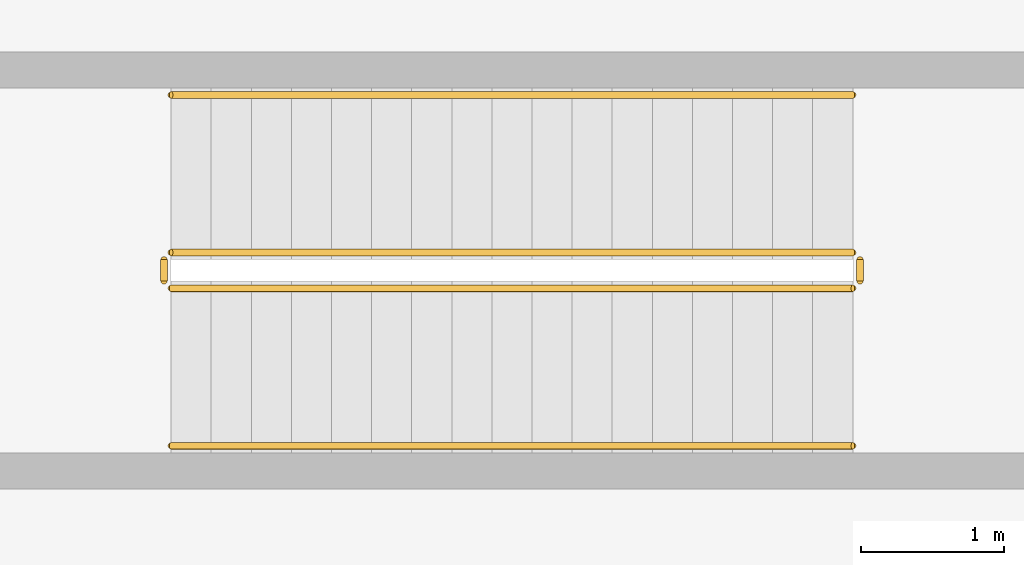
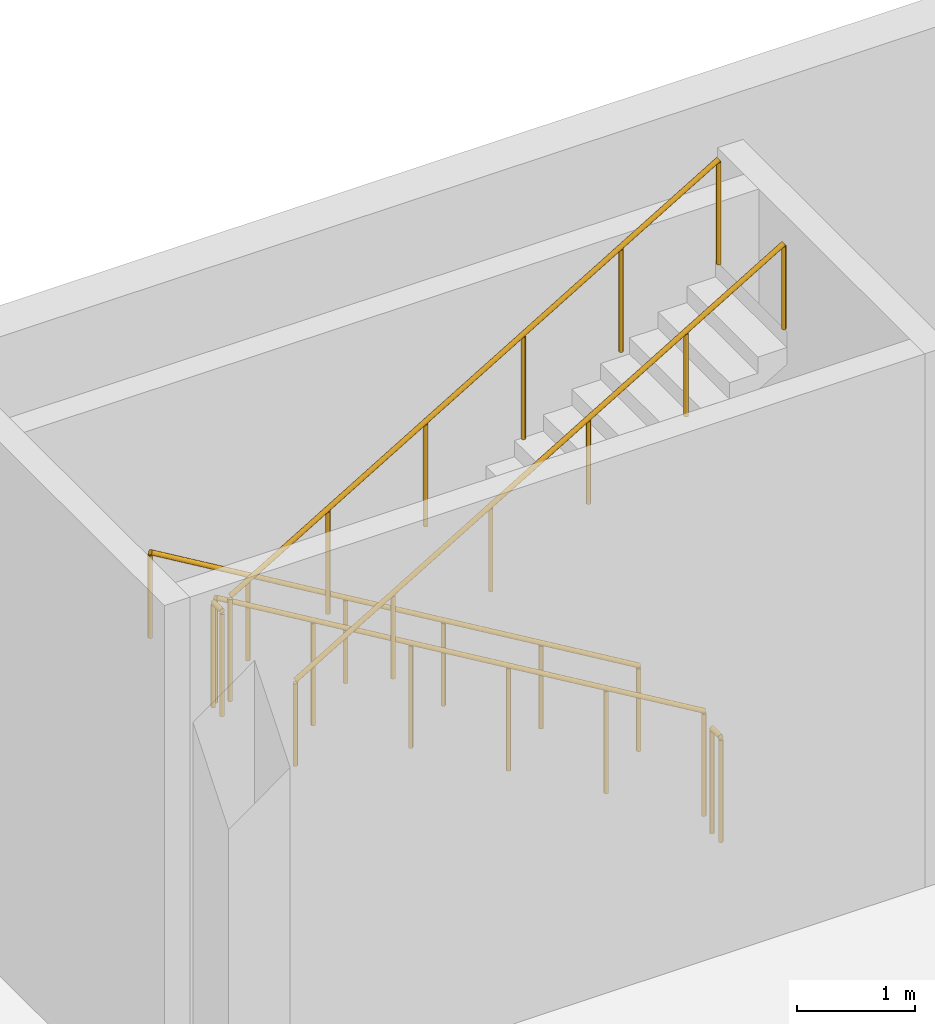
# One storey, part 42 of 45: 6 railings.
"""IFC4 building model written with IfcOpenShell, lengths in metres."""

from ifc_helpers import new_model, si_unit, direction, frame, origin, origin_2d, place, context, subcontext, project, spatial, circle, extrude, material, type_object, element, save


model = new_model("IFC4")

# Units and contexts
model_context = context("Model", 3, precision=1e-05, world=origin(), true_north=direction((0.0, 1.0)))
body_context = subcontext(model_context, "Body", "Model", "MODEL_VIEW")
ifc_project = project(units=[si_unit("LENGTHUNIT", "METRE"), si_unit("AREAUNIT", "SQUARE_METRE"), si_unit("VOLUMEUNIT", "CUBIC_METRE"), si_unit("PLANEANGLEUNIT", "RADIAN"), si_unit("MASSUNIT", "GRAM", prefix="KILO")], contexts=[model_context])

# Site, building, storey
site_placement = place(None, origin())
site = spatial("IfcSite", under=ifc_project, at=site_placement, CompositionType="ELEMENT")
building_placement = place(site_placement, origin())
building = spatial("IfcBuilding", under=site, at=building_placement, Name="Tamorin Gate", CompositionType="ELEMENT")
storey_placement = place(building_placement, frame((0.0, 0.0, -6.0)))
storey = spatial("IfcBuildingStorey", under=building, at=storey_placement, Name="B1", CompositionType="ELEMENT", Elevation=-6.0)

# Railings
ifc_material = material(Name="Steel, galvanised", Category="steel")
railing_type_1 = type_object("IfcRailingType", Name="Steel guard 1100", PredefinedType="GUARDRAIL", material=ifc_material)
railing_1_placement = place(storey_placement, frame((225.64990234375, 49.14990234375, 0.166748046875)))
element("IfcRailing", 1, at=railing_1_placement, inside=storey, type_object=railing_type_1, Name="B1 SB9 stair guard 1", PredefinedType="GUARDRAIL", context=body_context, shape_type="SweptSolid", body=[
    extrude(circle(Radius=0.02392578125, at=origin_2d()), frame((0.0, 0.0, 1.076171875), z_axis=(-0.859299802514, 0.0, 0.511472237174), x_axis=(0.0, -1.0, 0.0)), (0.0, 0.0, 1.0), 5.539306640625),
    extrude(circle(Radius=0.02099609375, at=origin_2d()), origin(), (0.0, 0.0, 1.0), 1.052001953125),
    extrude(circle(Radius=0.02099609375, at=origin_2d()), frame((-0.951904296875, 0.0, 0.566650390625)), (0.0, 0.0, 1.0), 1.052001953125),
    extrude(circle(Radius=0.02099609375, at=origin_2d()), frame((-1.904052734375, 0.0, 1.13330078125)), (0.0, 0.0, 1.0), 1.052001953125),
    extrude(circle(Radius=0.02099609375, at=origin_2d()), frame((-2.85595703125, 0.0, 1.699951171875)), (0.0, 0.0, 1.0), 1.052001953125),
    extrude(circle(Radius=0.02099609375, at=origin_2d()), frame((-3.80810546875, 0.0, 2.2666015625)), (0.0, 0.0, 1.0), 1.052001953125),
    extrude(circle(Radius=0.02099609375, at=origin_2d()), frame((-4.760009765625, 0.0, 2.833251953125)), (0.0, 0.0, 1.0), 1.052001953125),
])
railing_2_placement = place(storey_placement, frame((220.840087890625, 49.10009765625, 3.0)))
element("IfcRailing", 2, at=railing_2_placement, inside=storey, type_object=railing_type_1, Name="B1 SB9 stair guard 2", PredefinedType="GUARDRAIL", context=body_context, shape_type="SweptSolid", body=[
    extrude(circle(Radius=0.02392578125, at=origin_2d()), frame((0.0, 0.0, 1.076171875), z_axis=(0.0, -1.0, 0.0), x_axis=(1.0, 0.0, 0.0)), (0.0, 0.0, 1.0), 0.150146484375),
    extrude(circle(Radius=0.02099609375, at=origin_2d()), origin(), (0.0, 0.0, 1.0), 1.052001953125),
    extrude(circle(Radius=0.02099609375, at=origin_2d()), frame((0.0, -0.150146484375, 0.0)), (0.0, 0.0, 1.0), 1.052001953125),
])
railing_3_placement = place(storey_placement, frame((220.889892578125, 48.89990234375, 3.166748046875)))
element("IfcRailing", 3, at=railing_3_placement, inside=storey, type_object=railing_type_1, Name="B1 SB9 stair guard 3", PredefinedType="GUARDRAIL", context=body_context, shape_type="SweptSolid", body=[
    extrude(circle(Radius=0.02392578125, at=origin_2d()), frame((0.0, 0.0, 1.076171875), z_axis=(0.859299802514, 0.0, 0.511472237174), x_axis=(0.0, 1.0, 0.0)), (0.0, 0.0, 1.0), 5.539306640625),
    extrude(circle(Radius=0.02099609375, at=origin_2d()), origin(), (0.0, 0.0, 1.0), 1.052001953125),
    extrude(circle(Radius=0.02099609375, at=origin_2d()), frame((0.951904296875, 0.0, 0.566650390625)), (0.0, 0.0, 1.0), 1.052001953125),
    extrude(circle(Radius=0.02099609375, at=origin_2d()), frame((1.904052734375, 0.0, 1.13330078125)), (0.0, 0.0, 1.0), 1.052001953125),
    extrude(circle(Radius=0.02099609375, at=origin_2d()), frame((2.85595703125, 0.0, 1.699951171875)), (0.0, 0.0, 1.0), 1.052001953125),
    extrude(circle(Radius=0.02099609375, at=origin_2d()), frame((3.80810546875, 0.0, 2.2666015625)), (0.0, 0.0, 1.0), 1.052001953125),
    extrude(circle(Radius=0.02099609375, at=origin_2d()), frame((4.760009765625, 0.0, 2.833251953125)), (0.0, 0.0, 1.0), 1.052001953125),
])
railing_4_placement = place(storey_placement, frame((225.699951171875, 49.10009765625, 0.0)))
element("IfcRailing", 4, at=railing_4_placement, inside=storey, type_object=railing_type_1, Name="B1 SB9 stair guard 4", PredefinedType="GUARDRAIL", context=body_context, shape_type="SweptSolid", body=[
    extrude(circle(Radius=0.02392578125, at=origin_2d()), frame((0.0, 0.0, 1.076171875), z_axis=(0.0, -1.0, 0.0), x_axis=(1.0, 0.0, 0.0)), (0.0, 0.0, 1.0), 0.150146484375),
    extrude(circle(Radius=0.02099609375, at=origin_2d()), origin(), (0.0, 0.0, 1.0), 1.052001953125),
    extrude(circle(Radius=0.02099609375, at=origin_2d()), frame((0.0, -0.150146484375, 0.0)), (0.0, 0.0, 1.0), 1.052001953125),
])
railing_type_2 = type_object("IfcRailingType", Name="Steel handrail 900", PredefinedType="HANDRAIL", material=ifc_material)
railing_5_placement = place(storey_placement, frame((225.64990234375, 50.25, 0.166748046875)))
element("IfcRailing", 5, at=railing_5_placement, inside=storey, type_object=railing_type_2, Name="B1 SB9 stair handrail 1", PredefinedType="HANDRAIL", context=body_context, shape_type="SweptSolid", body=[
    extrude(circle(Radius=0.02392578125, at=origin_2d()), frame((0.0, 0.0, 0.8759765625), z_axis=(-0.859299802514, 0.0, 0.511472237174), x_axis=(0.0, -1.0, 0.0)), (0.0, 0.0, 1.0), 5.539306640625),
    extrude(circle(Radius=0.02099609375, at=origin_2d()), origin(), (0.0, 0.0, 1.0), 0.851806640625),
    extrude(circle(Radius=0.02099609375, at=origin_2d()), frame((-0.951904296875, 0.0, 0.566650390625)), (0.0, 0.0, 1.0), 0.851806640625),
    extrude(circle(Radius=0.02099609375, at=origin_2d()), frame((-1.904052734375, 0.0, 1.13330078125)), (0.0, 0.0, 1.0), 0.851806640625),
    extrude(circle(Radius=0.02099609375, at=origin_2d()), frame((-2.85595703125, 0.0, 1.699951171875)), (0.0, 0.0, 1.0), 0.851806640625),
    extrude(circle(Radius=0.02099609375, at=origin_2d()), frame((-3.80810546875, 0.0, 2.2666015625)), (0.0, 0.0, 1.0), 0.851806640625),
    extrude(circle(Radius=0.02099609375, at=origin_2d()), frame((-4.760009765625, 0.0, 2.833251953125)), (0.0, 0.0, 1.0), 0.851806640625),
])
railing_6_placement = place(storey_placement, frame((220.889892578125, 47.800048828125, 3.166748046875)))
element("IfcRailing", 6, at=railing_6_placement, inside=storey, type_object=railing_type_2, Name="B1 SB9 stair handrail 2", PredefinedType="HANDRAIL", context=body_context, shape_type="SweptSolid", body=[
    extrude(circle(Radius=0.02392578125, at=origin_2d()), frame((0.0, 0.0, 0.8759765625), z_axis=(0.859299802514, 0.0, 0.511472237174), x_axis=(0.0, 1.0, 0.0)), (0.0, 0.0, 1.0), 5.539306640625),
    extrude(circle(Radius=0.02099609375, at=origin_2d()), origin(), (0.0, 0.0, 1.0), 0.851806640625),
    extrude(circle(Radius=0.02099609375, at=origin_2d()), frame((0.951904296875, 0.0, 0.566650390625)), (0.0, 0.0, 1.0), 0.851806640625),
    extrude(circle(Radius=0.02099609375, at=origin_2d()), frame((1.904052734375, 0.0, 1.13330078125)), (0.0, 0.0, 1.0), 0.851806640625),
    extrude(circle(Radius=0.02099609375, at=origin_2d()), frame((2.85595703125, 0.0, 1.699951171875)), (0.0, 0.0, 1.0), 0.851806640625),
    extrude(circle(Radius=0.02099609375, at=origin_2d()), frame((3.80810546875, 0.0, 2.2666015625)), (0.0, 0.0, 1.0), 0.851806640625),
    extrude(circle(Radius=0.02099609375, at=origin_2d()), frame((4.760009765625, 0.0, 2.833251953125)), (0.0, 0.0, 1.0), 0.851806640625),
])

save(model, "model.ifc")
